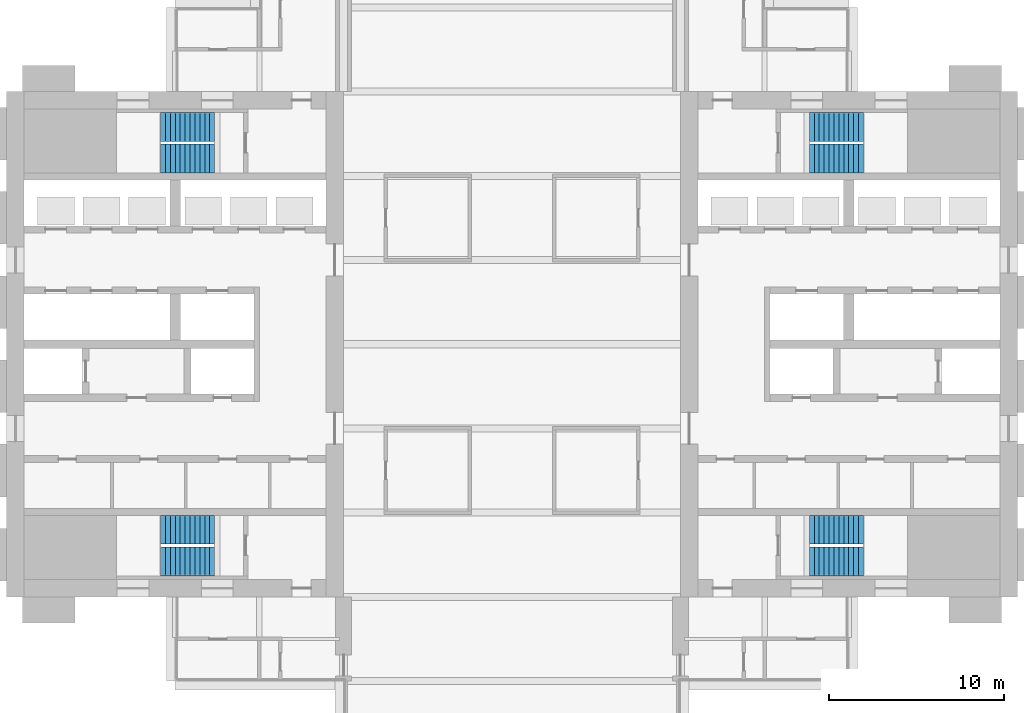
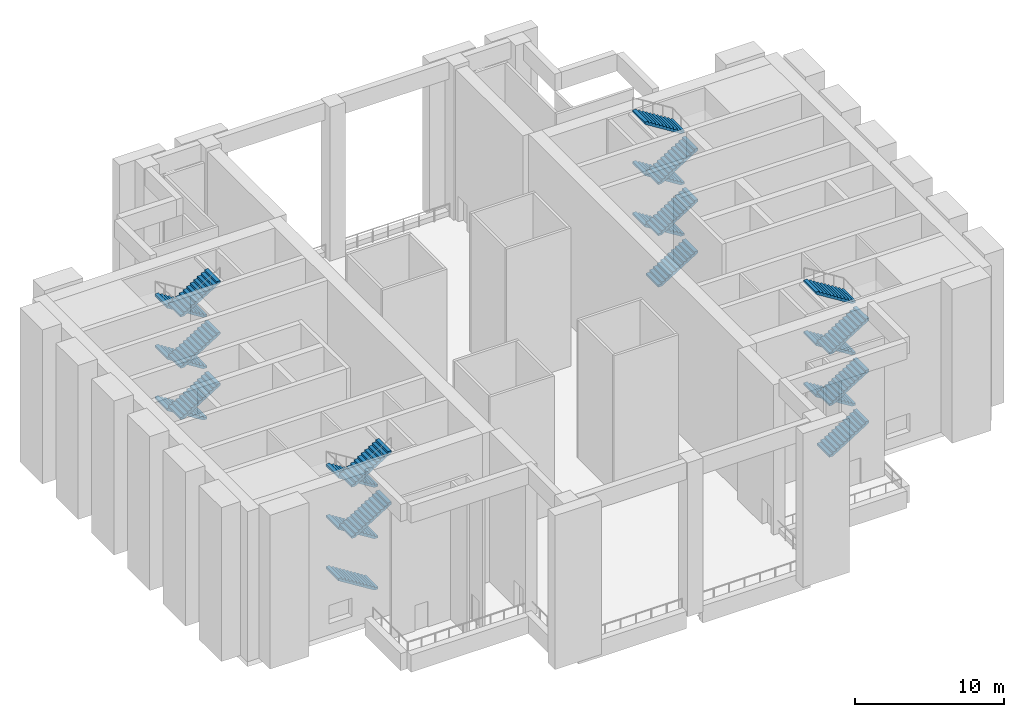
# One storey, part 6 of 9: 23 stair flights, 4 elements without a shape of their own.
"""IFC4 building model written with IfcOpenShell, lengths in metres."""

from ifc_helpers import new_model, si_unit, direction, frame, origin, place, context, subcontext, project, spatial, polyline, outline, extrude, material, type_object, element, aggregate, save


model = new_model("IFC4")

# Units and contexts
model_context = context("Model", 3, precision=1e-05, world=origin(), true_north=direction((0.0, 1.0)))
body_context = subcontext(model_context, "Body", "Model", "MODEL_VIEW")
ifc_project = project(units=[si_unit("LENGTHUNIT", "METRE"), si_unit("AREAUNIT", "SQUARE_METRE"), si_unit("VOLUMEUNIT", "CUBIC_METRE"), si_unit("PLANEANGLEUNIT", "RADIAN"), si_unit("MASSUNIT", "GRAM", prefix="KILO")], contexts=[model_context])

# Site, building, storey
site_placement = place(None, origin())
site = spatial("IfcSite", under=ifc_project, at=site_placement, CompositionType="ELEMENT")
building_placement = place(site_placement, origin())
building = spatial("IfcBuilding", under=site, at=building_placement, Name="Baori Bourse Tower", CompositionType="ELEMENT")
storey_placement = place(building_placement, frame((0.0, 0.0, 180.60009765625)))
storey = spatial("IfcBuildingStorey", under=building, at=storey_placement, Name="L40", CompositionType="ELEMENT", Elevation=180.60009765625)

# Stair, stair flights
ifc_material_1 = material(Name="Concrete f'c 50 MPa", Category="concrete")
stair_type = type_object("IfcStairType", Name="Core stair", PredefinedType="HALF_TURN_STAIR", material=ifc_material_1)
stair_1_placement = place(storey_placement, origin())
stair_1 = element("IfcStair", 1, at=stair_1_placement, inside=storey, type_object=stair_type, Name="L40 Stair WA", PredefinedType="HALF_TURN_STAIR")
ifc_material_2 = material(Name="Concrete f'c 50 MPa", Category="concrete")
stair_flight_type = type_object("IfcStairFlightType", Name="Core stair flight", PredefinedType="STRAIGHT", material=ifc_material_2)
stair_flight_1_placement = place(storey_placement, frame((11.85009765625, 13.425048828125, 0.0), z_axis=(0.0, 0.0, 1.0), x_axis=(-1.0, 0.0, 0.0)))
stair_flight_1 = element("IfcStairFlight", 2, at=stair_flight_1_placement, type_object=stair_flight_type, Name="ST1 flight 1", NumberOfRisers=12, NumberOfTreads=11, PredefinedType="STRAIGHT", RiserHeight=0.175, TreadLength=0.28, context=body_context, shape_type="SweptSolid", body=[
    extrude(outline(polyline([(0.0, 0.0), (0.0, 0.175048828125), (0.280029296875, 0.175048828125), (0.280029296875, 0.35009765625), (0.56005859375, 0.35009765625), (0.56005859375, 0.52490234375), (0.840087890625, 0.52490234375), (0.840087890625, 0.699951171875), (1.1201171875, 0.699951171875), (1.1201171875, 0.875), (1.39990234375, 0.875), (1.39990234375, 1.050048828125), (1.679931640625, 1.050048828125), (1.679931640625, 1.22509765625), (1.9599609375, 1.22509765625), (1.9599609375, 1.39990234375), (2.239990234375, 1.39990234375), (2.239990234375, 1.574951171875), (2.52001953125, 1.574951171875), (2.52001953125, 1.75), (2.800048828125, 1.75), (2.800048828125, 1.925048828125), (3.080078125, 1.925048828125), (3.080078125, 2.10009765625), (3.080078125, 1.748291015625), (0.28271484375, 0.0), (0.0, 0.0)])), frame((0.0, 0.824951171875, 0.0), z_axis=(0.0, -1.0, 0.0), x_axis=(1.0, 0.0, 0.0)), (0.0, 0.0, 1.0), 1.64990234375),
])
stair_flight_2_placement = place(storey_placement, frame((11.85009765625, 13.425048828125, 4.199951171875), z_axis=(0.0, 0.0, 1.0), x_axis=(-1.0, 0.0, 0.0)))
stair_flight_2 = element("IfcStairFlight", 3, at=stair_flight_2_placement, type_object=stair_flight_type, Name="ST1 flight 3", NumberOfRisers=12, NumberOfTreads=11, PredefinedType="STRAIGHT", RiserHeight=0.175, TreadLength=0.28, context=body_context, shape_type="SweptSolid", body=[
    extrude(outline(polyline([(0.0, 0.0), (0.0, 0.175048828125), (0.280029296875, 0.175048828125), (0.280029296875, 0.35009765625), (0.56005859375, 0.35009765625), (0.56005859375, 0.52490234375), (0.840087890625, 0.52490234375), (0.840087890625, 0.699951171875), (1.1201171875, 0.699951171875), (1.1201171875, 0.875), (1.39990234375, 0.875), (1.39990234375, 1.050048828125), (1.679931640625, 1.050048828125), (1.679931640625, 1.22509765625), (1.9599609375, 1.22509765625), (1.9599609375, 1.39990234375), (2.239990234375, 1.39990234375), (2.239990234375, 1.574951171875), (2.52001953125, 1.574951171875), (2.52001953125, 1.75), (2.800048828125, 1.75), (2.800048828125, 1.925048828125), (3.080078125, 1.925048828125), (3.080078125, 2.10009765625), (3.080078125, 1.748291015625), (0.28271484375, 0.0), (0.0, 0.0)])), frame((0.0, 0.824951171875, 0.0), z_axis=(0.0, -1.0, 0.0), x_axis=(1.0, 0.0, 0.0)), (0.0, 0.0, 1.0), 1.64990234375),
])
stair_flight_3_placement = place(storey_placement, frame((8.77001953125, 11.625, 6.2998046875), z_axis=(0.0, 0.0, 1.0), x_axis=(1.0, 0.0, 0.0)))
stair_flight_3 = element("IfcStairFlight", 4, at=stair_flight_3_placement, type_object=stair_flight_type, Name="ST1 flight 4", NumberOfRisers=12, NumberOfTreads=11, PredefinedType="STRAIGHT", RiserHeight=0.175, TreadLength=0.28, context=body_context, shape_type="SweptSolid", body=[
    extrude(outline(polyline([(0.0, 0.0), (0.0, 0.175048828125), (0.280029296875, 0.175048828125), (0.280029296875, 0.35009765625), (0.56005859375, 0.35009765625), (0.56005859375, 0.52490234375), (0.840087890625, 0.52490234375), (0.840087890625, 0.699951171875), (1.1201171875, 0.699951171875), (1.1201171875, 0.875), (1.39990234375, 0.875), (1.39990234375, 1.050048828125), (1.679931640625, 1.050048828125), (1.679931640625, 1.22509765625), (1.9599609375, 1.22509765625), (1.9599609375, 1.39990234375), (2.239990234375, 1.39990234375), (2.239990234375, 1.574951171875), (2.52001953125, 1.574951171875), (2.52001953125, 1.75), (2.800048828125, 1.75), (2.800048828125, 1.925048828125), (3.080078125, 1.925048828125), (3.080078125, 2.10009765625), (3.080078125, 1.748291015625), (0.28271484375, 0.0), (0.0, 0.0)])), frame((0.0, 0.824951171875, 0.0), z_axis=(0.0, -1.0, 0.0), x_axis=(1.0, 0.0, 0.0)), (0.0, 0.0, 1.0), 1.64990234375),
])
stair_flight_4_placement = place(storey_placement, frame((11.85009765625, 13.425048828125, 8.39990234375), z_axis=(0.0, 0.0, 1.0), x_axis=(-1.0, 0.0, 0.0)))
stair_flight_4 = element("IfcStairFlight", 5, at=stair_flight_4_placement, type_object=stair_flight_type, Name="ST1 flight 5", NumberOfRisers=12, NumberOfTreads=11, PredefinedType="STRAIGHT", RiserHeight=0.175, TreadLength=0.28, context=body_context, shape_type="SweptSolid", body=[
    extrude(outline(polyline([(0.0, 0.0), (0.0, 0.175048828125), (0.280029296875, 0.175048828125), (0.280029296875, 0.35009765625), (0.56005859375, 0.35009765625), (0.56005859375, 0.52490234375), (0.840087890625, 0.52490234375), (0.840087890625, 0.699951171875), (1.1201171875, 0.699951171875), (1.1201171875, 0.875), (1.39990234375, 0.875), (1.39990234375, 1.050048828125), (1.679931640625, 1.050048828125), (1.679931640625, 1.22509765625), (1.9599609375, 1.22509765625), (1.9599609375, 1.39990234375), (2.239990234375, 1.39990234375), (2.239990234375, 1.574951171875), (2.52001953125, 1.574951171875), (2.52001953125, 1.75), (2.800048828125, 1.75), (2.800048828125, 1.925048828125), (3.080078125, 1.925048828125), (3.080078125, 2.10009765625), (3.080078125, 1.748291015625), (0.28271484375, 0.0), (0.0, 0.0)])), frame((0.0, 0.824951171875, 0.0), z_axis=(0.0, -1.0, 0.0), x_axis=(1.0, 0.0, 0.0)), (0.0, 0.0, 1.0), 1.64990234375),
])
stair_flight_5_placement = place(storey_placement, frame((8.77001953125, 11.625, 10.5), z_axis=(0.0, 0.0, 1.0), x_axis=(1.0, 0.0, 0.0)))
stair_flight_5 = element("IfcStairFlight", 6, at=stair_flight_5_placement, type_object=stair_flight_type, Name="ST1 flight 6", NumberOfRisers=12, NumberOfTreads=11, PredefinedType="STRAIGHT", RiserHeight=0.175, TreadLength=0.28, context=body_context, shape_type="SweptSolid", body=[
    extrude(outline(polyline([(0.0, 0.0), (0.0, 0.175048828125), (0.280029296875, 0.175048828125), (0.280029296875, 0.35009765625), (0.56005859375, 0.35009765625), (0.56005859375, 0.52490234375), (0.840087890625, 0.52490234375), (0.840087890625, 0.699951171875), (1.1201171875, 0.699951171875), (1.1201171875, 0.875), (1.39990234375, 0.875), (1.39990234375, 1.050048828125), (1.679931640625, 1.050048828125), (1.679931640625, 1.22509765625), (1.9599609375, 1.22509765625), (1.9599609375, 1.39990234375), (2.239990234375, 1.39990234375), (2.239990234375, 1.574951171875), (2.52001953125, 1.574951171875), (2.52001953125, 1.75), (2.800048828125, 1.75), (2.800048828125, 1.925048828125), (3.080078125, 1.925048828125), (3.080078125, 2.10009765625), (3.080078125, 1.748291015625), (0.28271484375, 0.0), (0.0, 0.0)])), frame((0.0, 0.824951171875, 0.0), z_axis=(0.0, -1.0, 0.0), x_axis=(1.0, 0.0, 0.0)), (0.0, 0.0, 1.0), 1.64990234375),
])
aggregate(stair_1, [stair_flight_1, stair_flight_2, stair_flight_3, stair_flight_4, stair_flight_5])

stair_2_placement = place(storey_placement, origin())
stair_2 = element("IfcStair", 7, at=stair_2_placement, inside=storey, type_object=stair_type, Name="L40 Stair WB", PredefinedType="HALF_TURN_STAIR")
stair_flight_6_placement = place(storey_placement, frame((11.85009765625, 36.375, 0.0), z_axis=(0.0, 0.0, 1.0), x_axis=(-1.0, 0.0, 0.0)))
stair_flight_6 = element("IfcStairFlight", 8, at=stair_flight_6_placement, type_object=stair_flight_type, Name="ST2 flight 1", NumberOfRisers=12, NumberOfTreads=11, PredefinedType="STRAIGHT", RiserHeight=0.175, TreadLength=0.28, context=body_context, shape_type="SweptSolid", body=[
    extrude(outline(polyline([(0.0, 0.0), (0.0, 0.175048828125), (0.280029296875, 0.175048828125), (0.280029296875, 0.35009765625), (0.56005859375, 0.35009765625), (0.56005859375, 0.52490234375), (0.840087890625, 0.52490234375), (0.840087890625, 0.699951171875), (1.1201171875, 0.699951171875), (1.1201171875, 0.875), (1.39990234375, 0.875), (1.39990234375, 1.050048828125), (1.679931640625, 1.050048828125), (1.679931640625, 1.22509765625), (1.9599609375, 1.22509765625), (1.9599609375, 1.39990234375), (2.239990234375, 1.39990234375), (2.239990234375, 1.574951171875), (2.52001953125, 1.574951171875), (2.52001953125, 1.75), (2.800048828125, 1.75), (2.800048828125, 1.925048828125), (3.080078125, 1.925048828125), (3.080078125, 2.10009765625), (3.080078125, 1.748291015625), (0.28271484375, 0.0), (0.0, 0.0)])), frame((0.0, 0.824951171875, 0.0), z_axis=(0.0, -1.0, 0.0), x_axis=(1.0, 0.0, 0.0)), (0.0, 0.0, 1.0), 1.64990234375),
])
stair_flight_7_placement = place(storey_placement, frame((8.77001953125, 34.574951171875, 2.099853515625), z_axis=(0.0, 0.0, 1.0), x_axis=(1.0, 0.0, 0.0)))
stair_flight_7 = element("IfcStairFlight", 9, at=stair_flight_7_placement, type_object=stair_flight_type, Name="ST2 flight 2", NumberOfRisers=12, NumberOfTreads=11, PredefinedType="STRAIGHT", RiserHeight=0.175, TreadLength=0.28, context=body_context, shape_type="SweptSolid", body=[
    extrude(outline(polyline([(0.0, 0.0), (0.0, 0.175048828125), (0.280029296875, 0.175048828125), (0.280029296875, 0.35009765625), (0.56005859375, 0.35009765625), (0.56005859375, 0.52490234375), (0.840087890625, 0.52490234375), (0.840087890625, 0.699951171875), (1.1201171875, 0.699951171875), (1.1201171875, 0.875), (1.39990234375, 0.875), (1.39990234375, 1.050048828125), (1.679931640625, 1.050048828125), (1.679931640625, 1.22509765625), (1.9599609375, 1.22509765625), (1.9599609375, 1.39990234375), (2.239990234375, 1.39990234375), (2.239990234375, 1.574951171875), (2.52001953125, 1.574951171875), (2.52001953125, 1.75), (2.800048828125, 1.75), (2.800048828125, 1.925048828125), (3.080078125, 1.925048828125), (3.080078125, 2.10009765625), (3.080078125, 1.748291015625), (0.28271484375, 0.0), (0.0, 0.0)])), frame((0.0, 0.824951171875, 0.0), z_axis=(0.0, -1.0, 0.0), x_axis=(1.0, 0.0, 0.0)), (0.0, 0.0, 1.0), 1.64990234375),
])
stair_flight_8_placement = place(storey_placement, frame((11.85009765625, 36.375, 4.199951171875), z_axis=(0.0, 0.0, 1.0), x_axis=(-1.0, 0.0, 0.0)))
stair_flight_8 = element("IfcStairFlight", 10, at=stair_flight_8_placement, type_object=stair_flight_type, Name="ST2 flight 3", NumberOfRisers=12, NumberOfTreads=11, PredefinedType="STRAIGHT", RiserHeight=0.175, TreadLength=0.28, context=body_context, shape_type="SweptSolid", body=[
    extrude(outline(polyline([(0.0, 0.0), (0.0, 0.175048828125), (0.280029296875, 0.175048828125), (0.280029296875, 0.35009765625), (0.56005859375, 0.35009765625), (0.56005859375, 0.52490234375), (0.840087890625, 0.52490234375), (0.840087890625, 0.699951171875), (1.1201171875, 0.699951171875), (1.1201171875, 0.875), (1.39990234375, 0.875), (1.39990234375, 1.050048828125), (1.679931640625, 1.050048828125), (1.679931640625, 1.22509765625), (1.9599609375, 1.22509765625), (1.9599609375, 1.39990234375), (2.239990234375, 1.39990234375), (2.239990234375, 1.574951171875), (2.52001953125, 1.574951171875), (2.52001953125, 1.75), (2.800048828125, 1.75), (2.800048828125, 1.925048828125), (3.080078125, 1.925048828125), (3.080078125, 2.10009765625), (3.080078125, 1.748291015625), (0.28271484375, 0.0), (0.0, 0.0)])), frame((0.0, 0.824951171875, 0.0), z_axis=(0.0, -1.0, 0.0), x_axis=(1.0, 0.0, 0.0)), (0.0, 0.0, 1.0), 1.64990234375),
])
stair_flight_9_placement = place(storey_placement, frame((8.77001953125, 34.574951171875, 6.2998046875), z_axis=(0.0, 0.0, 1.0), x_axis=(1.0, 0.0, 0.0)))
stair_flight_9 = element("IfcStairFlight", 11, at=stair_flight_9_placement, type_object=stair_flight_type, Name="ST2 flight 4", NumberOfRisers=12, NumberOfTreads=11, PredefinedType="STRAIGHT", RiserHeight=0.175, TreadLength=0.28, context=body_context, shape_type="SweptSolid", body=[
    extrude(outline(polyline([(0.0, 0.0), (0.0, 0.175048828125), (0.280029296875, 0.175048828125), (0.280029296875, 0.35009765625), (0.56005859375, 0.35009765625), (0.56005859375, 0.52490234375), (0.840087890625, 0.52490234375), (0.840087890625, 0.699951171875), (1.1201171875, 0.699951171875), (1.1201171875, 0.875), (1.39990234375, 0.875), (1.39990234375, 1.050048828125), (1.679931640625, 1.050048828125), (1.679931640625, 1.22509765625), (1.9599609375, 1.22509765625), (1.9599609375, 1.39990234375), (2.239990234375, 1.39990234375), (2.239990234375, 1.574951171875), (2.52001953125, 1.574951171875), (2.52001953125, 1.75), (2.800048828125, 1.75), (2.800048828125, 1.925048828125), (3.080078125, 1.925048828125), (3.080078125, 2.10009765625), (3.080078125, 1.748291015625), (0.28271484375, 0.0), (0.0, 0.0)])), frame((0.0, 0.824951171875, 0.0), z_axis=(0.0, -1.0, 0.0), x_axis=(1.0, 0.0, 0.0)), (0.0, 0.0, 1.0), 1.64990234375),
])
stair_flight_10_placement = place(storey_placement, frame((11.85009765625, 36.375, 8.39990234375), z_axis=(0.0, 0.0, 1.0), x_axis=(-1.0, 0.0, 0.0)))
stair_flight_10 = element("IfcStairFlight", 12, at=stair_flight_10_placement, type_object=stair_flight_type, Name="ST2 flight 5", NumberOfRisers=12, NumberOfTreads=11, PredefinedType="STRAIGHT", RiserHeight=0.175, TreadLength=0.28, context=body_context, shape_type="SweptSolid", body=[
    extrude(outline(polyline([(0.0, 0.0), (0.0, 0.175048828125), (0.280029296875, 0.175048828125), (0.280029296875, 0.35009765625), (0.56005859375, 0.35009765625), (0.56005859375, 0.52490234375), (0.840087890625, 0.52490234375), (0.840087890625, 0.699951171875), (1.1201171875, 0.699951171875), (1.1201171875, 0.875), (1.39990234375, 0.875), (1.39990234375, 1.050048828125), (1.679931640625, 1.050048828125), (1.679931640625, 1.22509765625), (1.9599609375, 1.22509765625), (1.9599609375, 1.39990234375), (2.239990234375, 1.39990234375), (2.239990234375, 1.574951171875), (2.52001953125, 1.574951171875), (2.52001953125, 1.75), (2.800048828125, 1.75), (2.800048828125, 1.925048828125), (3.080078125, 1.925048828125), (3.080078125, 2.10009765625), (3.080078125, 1.748291015625), (0.28271484375, 0.0), (0.0, 0.0)])), frame((0.0, 0.824951171875, 0.0), z_axis=(0.0, -1.0, 0.0), x_axis=(1.0, 0.0, 0.0)), (0.0, 0.0, 1.0), 1.64990234375),
])
stair_flight_11_placement = place(storey_placement, frame((8.77001953125, 34.574951171875, 10.5), z_axis=(0.0, 0.0, 1.0), x_axis=(1.0, 0.0, 0.0)))
stair_flight_11 = element("IfcStairFlight", 13, at=stair_flight_11_placement, type_object=stair_flight_type, Name="ST2 flight 6", NumberOfRisers=12, NumberOfTreads=11, PredefinedType="STRAIGHT", RiserHeight=0.175, TreadLength=0.28, context=body_context, shape_type="SweptSolid", body=[
    extrude(outline(polyline([(0.0, 0.0), (0.0, 0.175048828125), (0.280029296875, 0.175048828125), (0.280029296875, 0.35009765625), (0.56005859375, 0.35009765625), (0.56005859375, 0.52490234375), (0.840087890625, 0.52490234375), (0.840087890625, 0.699951171875), (1.1201171875, 0.699951171875), (1.1201171875, 0.875), (1.39990234375, 0.875), (1.39990234375, 1.050048828125), (1.679931640625, 1.050048828125), (1.679931640625, 1.22509765625), (1.9599609375, 1.22509765625), (1.9599609375, 1.39990234375), (2.239990234375, 1.39990234375), (2.239990234375, 1.574951171875), (2.52001953125, 1.574951171875), (2.52001953125, 1.75), (2.800048828125, 1.75), (2.800048828125, 1.925048828125), (3.080078125, 1.925048828125), (3.080078125, 2.10009765625), (3.080078125, 1.748291015625), (0.28271484375, 0.0), (0.0, 0.0)])), frame((0.0, 0.824951171875, 0.0), z_axis=(0.0, -1.0, 0.0), x_axis=(1.0, 0.0, 0.0)), (0.0, 0.0, 1.0), 1.64990234375),
])
aggregate(stair_2, [stair_flight_6, stair_flight_7, stair_flight_8, stair_flight_9, stair_flight_10, stair_flight_11])

stair_3_placement = place(storey_placement, origin())
stair_3 = element("IfcStair", 14, at=stair_3_placement, inside=storey, type_object=stair_type, Name="L40 Stair EA", PredefinedType="HALF_TURN_STAIR")
stair_flight_12_placement = place(storey_placement, frame((45.75, 11.625, 0.0), z_axis=(0.0, 0.0, 1.0), x_axis=(1.0, 0.0, 0.0)))
stair_flight_12 = element("IfcStairFlight", 15, at=stair_flight_12_placement, type_object=stair_flight_type, Name="ST3 flight 1", NumberOfRisers=12, NumberOfTreads=11, PredefinedType="STRAIGHT", RiserHeight=0.175, TreadLength=0.28, context=body_context, shape_type="SweptSolid", body=[
    extrude(outline(polyline([(0.0, 0.0), (0.0, 0.175048828125), (0.280029296875, 0.175048828125), (0.280029296875, 0.35009765625), (0.56005859375, 0.35009765625), (0.56005859375, 0.52490234375), (0.840087890625, 0.52490234375), (0.840087890625, 0.699951171875), (1.1201171875, 0.699951171875), (1.1201171875, 0.875), (1.39990234375, 0.875), (1.39990234375, 1.050048828125), (1.679931640625, 1.050048828125), (1.679931640625, 1.22509765625), (1.9599609375, 1.22509765625), (1.9599609375, 1.39990234375), (2.239990234375, 1.39990234375), (2.239990234375, 1.574951171875), (2.52001953125, 1.574951171875), (2.52001953125, 1.75), (2.800048828125, 1.75), (2.800048828125, 1.925048828125), (3.080078125, 1.925048828125), (3.080078125, 2.10009765625), (3.080078125, 1.748291015625), (0.28271484375, 0.0), (0.0, 0.0)])), frame((0.0, 0.824951171875, 0.0), z_axis=(0.0, -1.0, 0.0), x_axis=(1.0, 0.0, 0.0)), (0.0, 0.0, 1.0), 1.64990234375),
])
stair_flight_13_placement = place(storey_placement, frame((48.830078125, 13.425048828125, 2.099853515625), z_axis=(0.0, 0.0, 1.0), x_axis=(-1.0, 0.0, 0.0)))
stair_flight_13 = element("IfcStairFlight", 16, at=stair_flight_13_placement, type_object=stair_flight_type, Name="ST3 flight 2", NumberOfRisers=12, NumberOfTreads=11, PredefinedType="STRAIGHT", RiserHeight=0.175, TreadLength=0.28, context=body_context, shape_type="SweptSolid", body=[
    extrude(outline(polyline([(0.0, 0.0), (0.0, 0.175048828125), (0.280029296875, 0.175048828125), (0.280029296875, 0.35009765625), (0.56005859375, 0.35009765625), (0.56005859375, 0.52490234375), (0.840087890625, 0.52490234375), (0.840087890625, 0.699951171875), (1.1201171875, 0.699951171875), (1.1201171875, 0.875), (1.39990234375, 0.875), (1.39990234375, 1.050048828125), (1.679931640625, 1.050048828125), (1.679931640625, 1.22509765625), (1.9599609375, 1.22509765625), (1.9599609375, 1.39990234375), (2.239990234375, 1.39990234375), (2.239990234375, 1.574951171875), (2.52001953125, 1.574951171875), (2.52001953125, 1.75), (2.800048828125, 1.75), (2.800048828125, 1.925048828125), (3.080078125, 1.925048828125), (3.080078125, 2.10009765625), (3.080078125, 1.748291015625), (0.28271484375, 0.0), (0.0, 0.0)])), frame((0.0, 0.824951171875, 0.0), z_axis=(0.0, -1.0, 0.0), x_axis=(1.0, 0.0, 0.0)), (0.0, 0.0, 1.0), 1.64990234375),
])
stair_flight_14_placement = place(storey_placement, frame((45.75, 11.625, 4.199951171875), z_axis=(0.0, 0.0, 1.0), x_axis=(1.0, 0.0, 0.0)))
stair_flight_14 = element("IfcStairFlight", 17, at=stair_flight_14_placement, type_object=stair_flight_type, Name="ST3 flight 3", NumberOfRisers=12, NumberOfTreads=11, PredefinedType="STRAIGHT", RiserHeight=0.175, TreadLength=0.28, context=body_context, shape_type="SweptSolid", body=[
    extrude(outline(polyline([(0.0, 0.0), (0.0, 0.175048828125), (0.280029296875, 0.175048828125), (0.280029296875, 0.35009765625), (0.56005859375, 0.35009765625), (0.56005859375, 0.52490234375), (0.840087890625, 0.52490234375), (0.840087890625, 0.699951171875), (1.1201171875, 0.699951171875), (1.1201171875, 0.875), (1.39990234375, 0.875), (1.39990234375, 1.050048828125), (1.679931640625, 1.050048828125), (1.679931640625, 1.22509765625), (1.9599609375, 1.22509765625), (1.9599609375, 1.39990234375), (2.239990234375, 1.39990234375), (2.239990234375, 1.574951171875), (2.52001953125, 1.574951171875), (2.52001953125, 1.75), (2.800048828125, 1.75), (2.800048828125, 1.925048828125), (3.080078125, 1.925048828125), (3.080078125, 2.10009765625), (3.080078125, 1.748291015625), (0.28271484375, 0.0), (0.0, 0.0)])), frame((0.0, 0.824951171875, 0.0), z_axis=(0.0, -1.0, 0.0), x_axis=(1.0, 0.0, 0.0)), (0.0, 0.0, 1.0), 1.64990234375),
])
stair_flight_15_placement = place(storey_placement, frame((48.830078125, 13.425048828125, 6.2998046875), z_axis=(0.0, 0.0, 1.0), x_axis=(-1.0, 0.0, 0.0)))
stair_flight_15 = element("IfcStairFlight", 18, at=stair_flight_15_placement, type_object=stair_flight_type, Name="ST3 flight 4", NumberOfRisers=12, NumberOfTreads=11, PredefinedType="STRAIGHT", RiserHeight=0.175, TreadLength=0.28, context=body_context, shape_type="SweptSolid", body=[
    extrude(outline(polyline([(0.0, 0.0), (0.0, 0.175048828125), (0.280029296875, 0.175048828125), (0.280029296875, 0.35009765625), (0.56005859375, 0.35009765625), (0.56005859375, 0.52490234375), (0.840087890625, 0.52490234375), (0.840087890625, 0.699951171875), (1.1201171875, 0.699951171875), (1.1201171875, 0.875), (1.39990234375, 0.875), (1.39990234375, 1.050048828125), (1.679931640625, 1.050048828125), (1.679931640625, 1.22509765625), (1.9599609375, 1.22509765625), (1.9599609375, 1.39990234375), (2.239990234375, 1.39990234375), (2.239990234375, 1.574951171875), (2.52001953125, 1.574951171875), (2.52001953125, 1.75), (2.800048828125, 1.75), (2.800048828125, 1.925048828125), (3.080078125, 1.925048828125), (3.080078125, 2.10009765625), (3.080078125, 1.748291015625), (0.28271484375, 0.0), (0.0, 0.0)])), frame((0.0, 0.824951171875, 0.0), z_axis=(0.0, -1.0, 0.0), x_axis=(1.0, 0.0, 0.0)), (0.0, 0.0, 1.0), 1.64990234375),
])
stair_flight_16_placement = place(storey_placement, frame((45.75, 11.625, 8.39990234375), z_axis=(0.0, 0.0, 1.0), x_axis=(1.0, 0.0, 0.0)))
stair_flight_16 = element("IfcStairFlight", 19, at=stair_flight_16_placement, type_object=stair_flight_type, Name="ST3 flight 5", NumberOfRisers=12, NumberOfTreads=11, PredefinedType="STRAIGHT", RiserHeight=0.175, TreadLength=0.28, context=body_context, shape_type="SweptSolid", body=[
    extrude(outline(polyline([(0.0, 0.0), (0.0, 0.175048828125), (0.280029296875, 0.175048828125), (0.280029296875, 0.35009765625), (0.56005859375, 0.35009765625), (0.56005859375, 0.52490234375), (0.840087890625, 0.52490234375), (0.840087890625, 0.699951171875), (1.1201171875, 0.699951171875), (1.1201171875, 0.875), (1.39990234375, 0.875), (1.39990234375, 1.050048828125), (1.679931640625, 1.050048828125), (1.679931640625, 1.22509765625), (1.9599609375, 1.22509765625), (1.9599609375, 1.39990234375), (2.239990234375, 1.39990234375), (2.239990234375, 1.574951171875), (2.52001953125, 1.574951171875), (2.52001953125, 1.75), (2.800048828125, 1.75), (2.800048828125, 1.925048828125), (3.080078125, 1.925048828125), (3.080078125, 2.10009765625), (3.080078125, 1.748291015625), (0.28271484375, 0.0), (0.0, 0.0)])), frame((0.0, 0.824951171875, 0.0), z_axis=(0.0, -1.0, 0.0), x_axis=(1.0, 0.0, 0.0)), (0.0, 0.0, 1.0), 1.64990234375),
])
stair_flight_17_placement = place(storey_placement, frame((48.830078125, 13.425048828125, 10.5), z_axis=(0.0, 0.0, 1.0), x_axis=(-1.0, 0.0, 0.0)))
stair_flight_17 = element("IfcStairFlight", 20, at=stair_flight_17_placement, type_object=stair_flight_type, Name="ST3 flight 6", NumberOfRisers=12, NumberOfTreads=11, PredefinedType="STRAIGHT", RiserHeight=0.175, TreadLength=0.28, context=body_context, shape_type="SweptSolid", body=[
    extrude(outline(polyline([(0.0, 0.0), (0.0, 0.175048828125), (0.280029296875, 0.175048828125), (0.280029296875, 0.35009765625), (0.56005859375, 0.35009765625), (0.56005859375, 0.52490234375), (0.840087890625, 0.52490234375), (0.840087890625, 0.699951171875), (1.1201171875, 0.699951171875), (1.1201171875, 0.875), (1.39990234375, 0.875), (1.39990234375, 1.050048828125), (1.679931640625, 1.050048828125), (1.679931640625, 1.22509765625), (1.9599609375, 1.22509765625), (1.9599609375, 1.39990234375), (2.239990234375, 1.39990234375), (2.239990234375, 1.574951171875), (2.52001953125, 1.574951171875), (2.52001953125, 1.75), (2.800048828125, 1.75), (2.800048828125, 1.925048828125), (3.080078125, 1.925048828125), (3.080078125, 2.10009765625), (3.080078125, 1.748291015625), (0.28271484375, 0.0), (0.0, 0.0)])), frame((0.0, 0.824951171875, 0.0), z_axis=(0.0, -1.0, 0.0), x_axis=(1.0, 0.0, 0.0)), (0.0, 0.0, 1.0), 1.64990234375),
])
aggregate(stair_3, [stair_flight_12, stair_flight_13, stair_flight_14, stair_flight_15, stair_flight_16, stair_flight_17])

stair_4_placement = place(storey_placement, origin())
stair_4 = element("IfcStair", 21, at=stair_4_placement, inside=storey, type_object=stair_type, Name="L40 Stair EB", PredefinedType="HALF_TURN_STAIR")
stair_flight_18_placement = place(storey_placement, frame((45.75, 34.574951171875, 0.0), z_axis=(0.0, 0.0, 1.0), x_axis=(1.0, 0.0, 0.0)))
stair_flight_18 = element("IfcStairFlight", 22, at=stair_flight_18_placement, type_object=stair_flight_type, Name="ST4 flight 1", NumberOfRisers=12, NumberOfTreads=11, PredefinedType="STRAIGHT", RiserHeight=0.175, TreadLength=0.28, context=body_context, shape_type="SweptSolid", body=[
    extrude(outline(polyline([(0.0, 0.0), (0.0, 0.175048828125), (0.280029296875, 0.175048828125), (0.280029296875, 0.35009765625), (0.56005859375, 0.35009765625), (0.56005859375, 0.52490234375), (0.840087890625, 0.52490234375), (0.840087890625, 0.699951171875), (1.1201171875, 0.699951171875), (1.1201171875, 0.875), (1.39990234375, 0.875), (1.39990234375, 1.050048828125), (1.679931640625, 1.050048828125), (1.679931640625, 1.22509765625), (1.9599609375, 1.22509765625), (1.9599609375, 1.39990234375), (2.239990234375, 1.39990234375), (2.239990234375, 1.574951171875), (2.52001953125, 1.574951171875), (2.52001953125, 1.75), (2.800048828125, 1.75), (2.800048828125, 1.925048828125), (3.080078125, 1.925048828125), (3.080078125, 2.10009765625), (3.080078125, 1.748291015625), (0.28271484375, 0.0), (0.0, 0.0)])), frame((0.0, 0.824951171875, 0.0), z_axis=(0.0, -1.0, 0.0), x_axis=(1.0, 0.0, 0.0)), (0.0, 0.0, 1.0), 1.64990234375),
])
stair_flight_19_placement = place(storey_placement, frame((48.830078125, 36.375, 2.099853515625), z_axis=(0.0, 0.0, 1.0), x_axis=(-1.0, 0.0, 0.0)))
stair_flight_19 = element("IfcStairFlight", 23, at=stair_flight_19_placement, type_object=stair_flight_type, Name="ST4 flight 2", NumberOfRisers=12, NumberOfTreads=11, PredefinedType="STRAIGHT", RiserHeight=0.175, TreadLength=0.28, context=body_context, shape_type="SweptSolid", body=[
    extrude(outline(polyline([(0.0, 0.0), (0.0, 0.175048828125), (0.280029296875, 0.175048828125), (0.280029296875, 0.35009765625), (0.56005859375, 0.35009765625), (0.56005859375, 0.52490234375), (0.840087890625, 0.52490234375), (0.840087890625, 0.699951171875), (1.1201171875, 0.699951171875), (1.1201171875, 0.875), (1.39990234375, 0.875), (1.39990234375, 1.050048828125), (1.679931640625, 1.050048828125), (1.679931640625, 1.22509765625), (1.9599609375, 1.22509765625), (1.9599609375, 1.39990234375), (2.239990234375, 1.39990234375), (2.239990234375, 1.574951171875), (2.52001953125, 1.574951171875), (2.52001953125, 1.75), (2.800048828125, 1.75), (2.800048828125, 1.925048828125), (3.080078125, 1.925048828125), (3.080078125, 2.10009765625), (3.080078125, 1.748291015625), (0.28271484375, 0.0), (0.0, 0.0)])), frame((0.0, 0.824951171875, 0.0), z_axis=(0.0, -1.0, 0.0), x_axis=(1.0, 0.0, 0.0)), (0.0, 0.0, 1.0), 1.64990234375),
])
stair_flight_20_placement = place(storey_placement, frame((45.75, 34.574951171875, 4.199951171875), z_axis=(0.0, 0.0, 1.0), x_axis=(1.0, 0.0, 0.0)))
stair_flight_20 = element("IfcStairFlight", 24, at=stair_flight_20_placement, type_object=stair_flight_type, Name="ST4 flight 3", NumberOfRisers=12, NumberOfTreads=11, PredefinedType="STRAIGHT", RiserHeight=0.175, TreadLength=0.28, context=body_context, shape_type="SweptSolid", body=[
    extrude(outline(polyline([(0.0, 0.0), (0.0, 0.175048828125), (0.280029296875, 0.175048828125), (0.280029296875, 0.35009765625), (0.56005859375, 0.35009765625), (0.56005859375, 0.52490234375), (0.840087890625, 0.52490234375), (0.840087890625, 0.699951171875), (1.1201171875, 0.699951171875), (1.1201171875, 0.875), (1.39990234375, 0.875), (1.39990234375, 1.050048828125), (1.679931640625, 1.050048828125), (1.679931640625, 1.22509765625), (1.9599609375, 1.22509765625), (1.9599609375, 1.39990234375), (2.239990234375, 1.39990234375), (2.239990234375, 1.574951171875), (2.52001953125, 1.574951171875), (2.52001953125, 1.75), (2.800048828125, 1.75), (2.800048828125, 1.925048828125), (3.080078125, 1.925048828125), (3.080078125, 2.10009765625), (3.080078125, 1.748291015625), (0.28271484375, 0.0), (0.0, 0.0)])), frame((0.0, 0.824951171875, 0.0), z_axis=(0.0, -1.0, 0.0), x_axis=(1.0, 0.0, 0.0)), (0.0, 0.0, 1.0), 1.64990234375),
])
stair_flight_21_placement = place(storey_placement, frame((48.830078125, 36.375, 6.2998046875), z_axis=(0.0, 0.0, 1.0), x_axis=(-1.0, 0.0, 0.0)))
stair_flight_21 = element("IfcStairFlight", 25, at=stair_flight_21_placement, type_object=stair_flight_type, Name="ST4 flight 4", NumberOfRisers=12, NumberOfTreads=11, PredefinedType="STRAIGHT", RiserHeight=0.175, TreadLength=0.28, context=body_context, shape_type="SweptSolid", body=[
    extrude(outline(polyline([(0.0, 0.0), (0.0, 0.175048828125), (0.280029296875, 0.175048828125), (0.280029296875, 0.35009765625), (0.56005859375, 0.35009765625), (0.56005859375, 0.52490234375), (0.840087890625, 0.52490234375), (0.840087890625, 0.699951171875), (1.1201171875, 0.699951171875), (1.1201171875, 0.875), (1.39990234375, 0.875), (1.39990234375, 1.050048828125), (1.679931640625, 1.050048828125), (1.679931640625, 1.22509765625), (1.9599609375, 1.22509765625), (1.9599609375, 1.39990234375), (2.239990234375, 1.39990234375), (2.239990234375, 1.574951171875), (2.52001953125, 1.574951171875), (2.52001953125, 1.75), (2.800048828125, 1.75), (2.800048828125, 1.925048828125), (3.080078125, 1.925048828125), (3.080078125, 2.10009765625), (3.080078125, 1.748291015625), (0.28271484375, 0.0), (0.0, 0.0)])), frame((0.0, 0.824951171875, 0.0), z_axis=(0.0, -1.0, 0.0), x_axis=(1.0, 0.0, 0.0)), (0.0, 0.0, 1.0), 1.64990234375),
])
stair_flight_22_placement = place(storey_placement, frame((45.75, 34.574951171875, 8.39990234375), z_axis=(0.0, 0.0, 1.0), x_axis=(1.0, 0.0, 0.0)))
stair_flight_22 = element("IfcStairFlight", 26, at=stair_flight_22_placement, type_object=stair_flight_type, Name="ST4 flight 5", NumberOfRisers=12, NumberOfTreads=11, PredefinedType="STRAIGHT", RiserHeight=0.175, TreadLength=0.28, context=body_context, shape_type="SweptSolid", body=[
    extrude(outline(polyline([(0.0, 0.0), (0.0, 0.175048828125), (0.280029296875, 0.175048828125), (0.280029296875, 0.35009765625), (0.56005859375, 0.35009765625), (0.56005859375, 0.52490234375), (0.840087890625, 0.52490234375), (0.840087890625, 0.699951171875), (1.1201171875, 0.699951171875), (1.1201171875, 0.875), (1.39990234375, 0.875), (1.39990234375, 1.050048828125), (1.679931640625, 1.050048828125), (1.679931640625, 1.22509765625), (1.9599609375, 1.22509765625), (1.9599609375, 1.39990234375), (2.239990234375, 1.39990234375), (2.239990234375, 1.574951171875), (2.52001953125, 1.574951171875), (2.52001953125, 1.75), (2.800048828125, 1.75), (2.800048828125, 1.925048828125), (3.080078125, 1.925048828125), (3.080078125, 2.10009765625), (3.080078125, 1.748291015625), (0.28271484375, 0.0), (0.0, 0.0)])), frame((0.0, 0.824951171875, 0.0), z_axis=(0.0, -1.0, 0.0), x_axis=(1.0, 0.0, 0.0)), (0.0, 0.0, 1.0), 1.64990234375),
])
stair_flight_23_placement = place(storey_placement, frame((48.830078125, 36.375, 10.5), z_axis=(0.0, 0.0, 1.0), x_axis=(-1.0, 0.0, 0.0)))
stair_flight_23 = element("IfcStairFlight", 27, at=stair_flight_23_placement, type_object=stair_flight_type, Name="ST4 flight 6", NumberOfRisers=12, NumberOfTreads=11, PredefinedType="STRAIGHT", RiserHeight=0.175, TreadLength=0.28, context=body_context, shape_type="SweptSolid", body=[
    extrude(outline(polyline([(0.0, 0.0), (0.0, 0.175048828125), (0.280029296875, 0.175048828125), (0.280029296875, 0.35009765625), (0.56005859375, 0.35009765625), (0.56005859375, 0.52490234375), (0.840087890625, 0.52490234375), (0.840087890625, 0.699951171875), (1.1201171875, 0.699951171875), (1.1201171875, 0.875), (1.39990234375, 0.875), (1.39990234375, 1.050048828125), (1.679931640625, 1.050048828125), (1.679931640625, 1.22509765625), (1.9599609375, 1.22509765625), (1.9599609375, 1.39990234375), (2.239990234375, 1.39990234375), (2.239990234375, 1.574951171875), (2.52001953125, 1.574951171875), (2.52001953125, 1.75), (2.800048828125, 1.75), (2.800048828125, 1.925048828125), (3.080078125, 1.925048828125), (3.080078125, 2.10009765625), (3.080078125, 1.748291015625), (0.28271484375, 0.0), (0.0, 0.0)])), frame((0.0, 0.824951171875, 0.0), z_axis=(0.0, -1.0, 0.0), x_axis=(1.0, 0.0, 0.0)), (0.0, 0.0, 1.0), 1.64990234375),
])
aggregate(stair_4, [stair_flight_18, stair_flight_19, stair_flight_20, stair_flight_21, stair_flight_22, stair_flight_23])

save(model, "model.ifc")
